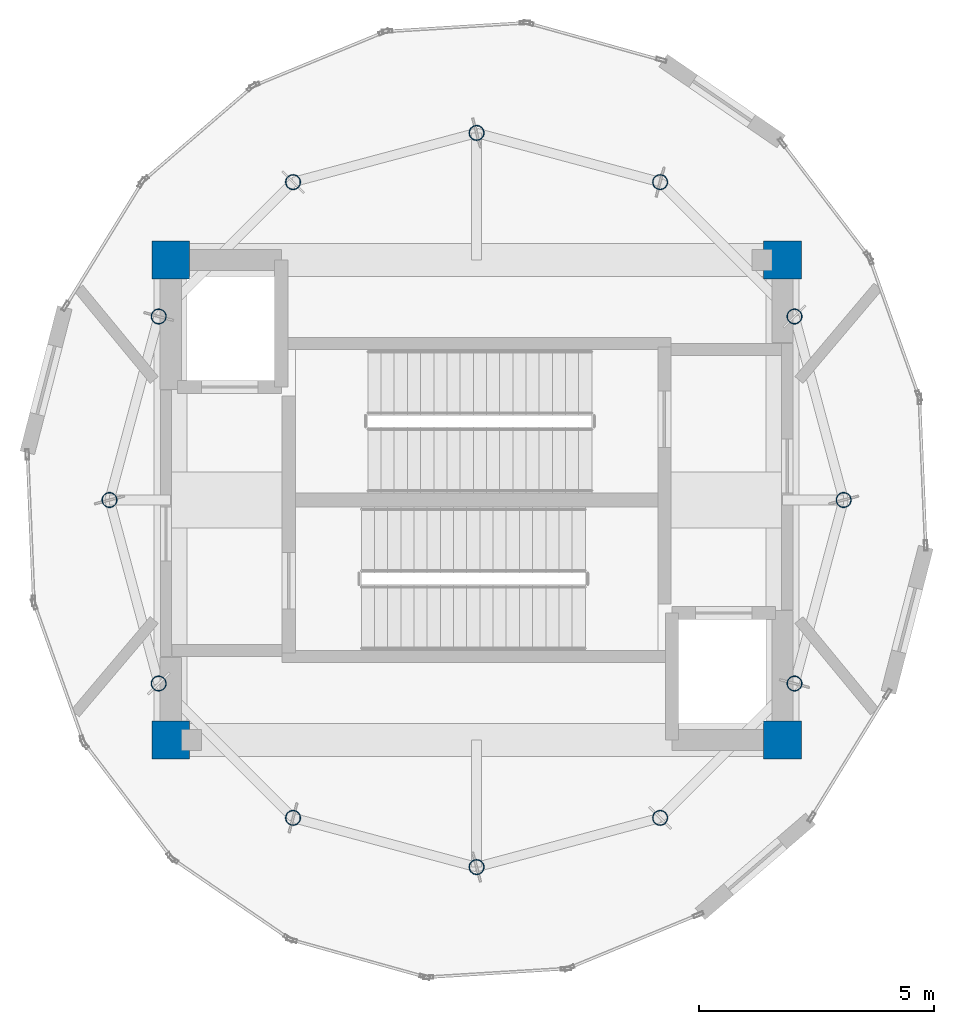
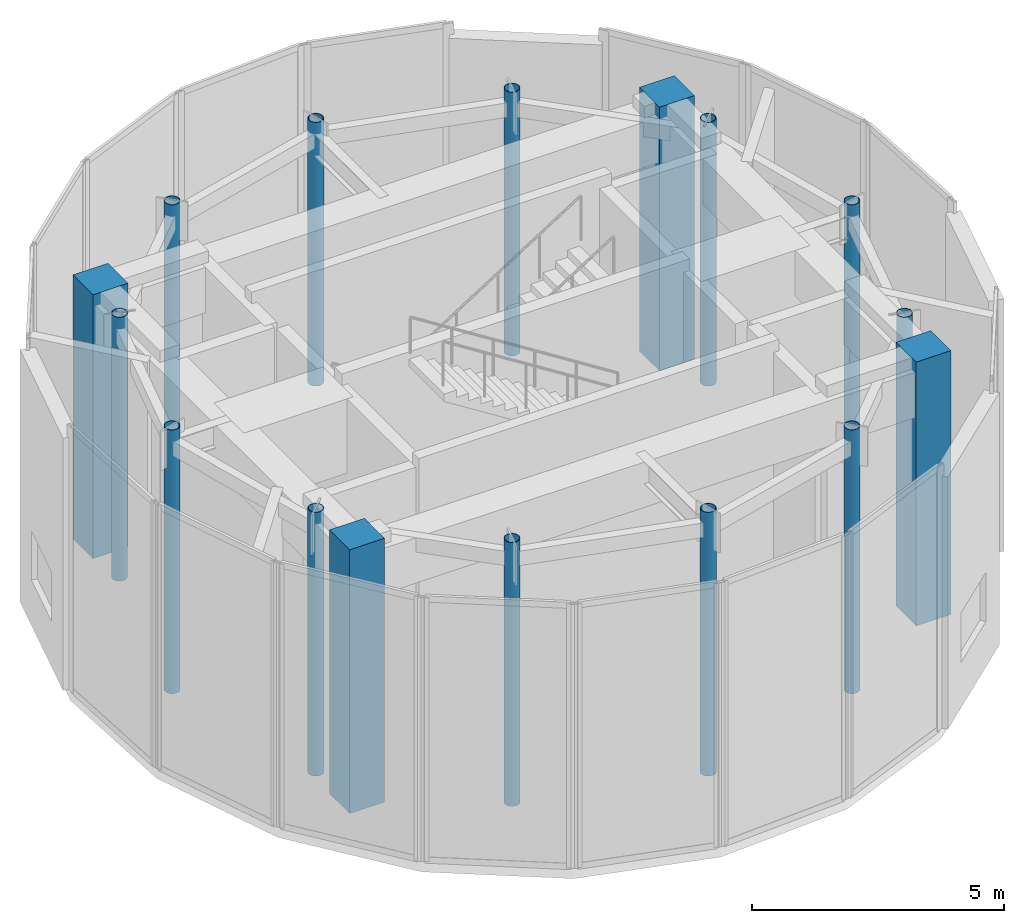
# One storey, part 1 of 8: 16 columns.
"""IFC4 building model written with IfcOpenShell, lengths in metres."""

from ifc_helpers import new_model, si_unit, direction, frame, origin, origin_2d, place, context, subcontext, project, spatial, rectangle, hollow_circle, extrude, material, material_profile, profile_set, type_object, element, save


model = new_model("IFC4")

# Units and contexts
model_context = context("Model", 3, precision=1e-05, world=origin(), true_north=direction((0.0, 1.0)))
body_context = subcontext(model_context, "Body", "Model", "MODEL_VIEW")
ifc_project = project(units=[si_unit("LENGTHUNIT", "METRE"), si_unit("AREAUNIT", "SQUARE_METRE"), si_unit("VOLUMEUNIT", "CUBIC_METRE"), si_unit("PLANEANGLEUNIT", "RADIAN"), si_unit("MASSUNIT", "GRAM", prefix="KILO")], contexts=[model_context])

# Site, building, storey
site_placement = place(None, origin())
site = spatial("IfcSite", under=ifc_project, at=site_placement, CompositionType="ELEMENT")
building_placement = place(site_placement, origin())
building = spatial("IfcBuilding", under=site, at=building_placement, Name="Solvirekh Grand Hotel", CompositionType="ELEMENT")
storey_placement = place(building_placement, frame((0.0, 0.0, 327.39990234375)))
storey = spatial("IfcBuildingStorey", under=building, at=storey_placement, Name="L82", CompositionType="ELEMENT", Elevation=327.39990234375)

# Columns
ifc_material_1 = material(Name="Concrete C50/60", Category="concrete")
ifc_material_profile_1 = material_profile(ifc_material_1, rectangle(XDim=0.800048828125, YDim=0.800048828125, at=origin_2d()), Name="RC 800X800")
ifc_profile_set_1 = profile_set([ifc_material_profile_1], Name="Concrete C50/60")
column_type_1 = type_object("IfcColumnType", Name="Col_Core_800", PredefinedType="COLUMN", material=ifc_profile_set_1)
for number, where, z_axis, x_axis, name in (
    (1, (-6.5, -5.10009765625, 0.0), (0.0, 0.0, 1.0), (1.0, 0.0, 0.0), "L82 core corner column CC1"),
    (2, (6.5, -5.10009765625, 0.0), (0.0, 0.0, 1.0), (1.0, 0.0, 0.0), "L82 core corner column CC2"),
    (3, (6.5, 5.10009765625, 0.0), (0.0, 0.0, 1.0), (1.0, 0.0, 0.0), "L82 core corner column CC3"),
    (4, (-6.5, 5.10009765625, 0.0), (0.0, 0.0, 1.0), (1.0, 0.0, 0.0), "L82 core corner column CC4"),
):
    element("IfcColumn", number, at=place(storey_placement, frame(where, z_axis=z_axis, x_axis=x_axis)), inside=storey, type_object=column_type_1, Name=name, PredefinedType="COLUMN", context=body_context, shape_type="SweptSolid", body=[
        extrude(rectangle(XDim=0.800048828125, YDim=0.800048828125, at=origin_2d()), origin(), (0.0, 0.0, 1.0), 6.400146484375),
    ])
ifc_material_2 = material(Name="Steel S355", Category="steel")
ifc_material_profile_2 = material_profile(ifc_material_2, hollow_circle(Radius=0.162109375, WallThickness=0.013916015625, at=origin_2d()), Name="CHS 324X14")
ifc_profile_set_2 = profile_set([ifc_material_profile_2], Name="Steel S355")
column_type_2 = type_object("IfcColumnType", Name="Col_Crown_CHS324", PredefinedType="COLUMN", material=ifc_profile_set_2)
for number, where, z_axis, x_axis, name in (
    (5, (7.800048828125, 0.0, 0.0), (0.0, 0.0, 1.0), (1.0, 0.0, 0.0), "L82 perimeter column P01"),
    (6, (6.7548828125, 3.89990234375, 0.0), (0.0, 0.0, 1.0), (1.0, 0.0, 0.0), "L82 perimeter column P02"),
    (7, (3.89990234375, 6.7548828125, 0.0), (0.0, 0.0, 1.0), (1.0, 0.0, 0.0), "L82 perimeter column P03"),
    (8, (0.0, 7.800048828125, 0.0), (0.0, 0.0, 1.0), (1.0, 0.0, 0.0), "L82 perimeter column P04"),
    (9, (-3.89990234375, 6.7548828125, 0.0), (0.0, 0.0, 1.0), (1.0, 0.0, 0.0), "L82 perimeter column P05"),
    (10, (-6.7548828125, 3.89990234375, 0.0), (0.0, 0.0, 1.0), (1.0, 0.0, 0.0), "L82 perimeter column P06"),
    (11, (-7.800048828125, 0.0, 0.0), (0.0, 0.0, 1.0), (1.0, 0.0, 0.0), "L82 perimeter column P07"),
    (12, (-6.7548828125, -3.89990234375, 0.0), (0.0, 0.0, 1.0), (1.0, 0.0, 0.0), "L82 perimeter column P08"),
    (13, (-3.89990234375, -6.7548828125, 0.0), (0.0, 0.0, 1.0), (1.0, 0.0, 0.0), "L82 perimeter column P09"),
    (14, (0.0, -7.800048828125, 0.0), (0.0, 0.0, 1.0), (1.0, 0.0, 0.0), "L82 perimeter column P10"),
    (15, (3.89990234375, -6.7548828125, 0.0), (0.0, 0.0, 1.0), (1.0, 0.0, 0.0), "L82 perimeter column P11"),
    (16, (6.7548828125, -3.89990234375, 0.0), (0.0, 0.0, 1.0), (1.0, 0.0, 0.0), "L82 perimeter column P12"),
):
    element("IfcColumn", number, at=place(storey_placement, frame(where, z_axis=z_axis, x_axis=x_axis)), inside=storey, type_object=column_type_2, Name=name, PredefinedType="COLUMN", context=body_context, shape_type="SweptSolid", body=[
        extrude(hollow_circle(Radius=0.162109375, WallThickness=0.013916015625, at=origin_2d()), origin(), (0.0, 0.0, 1.0), 6.400146484375),
    ])

save(model, "model.ifc")
